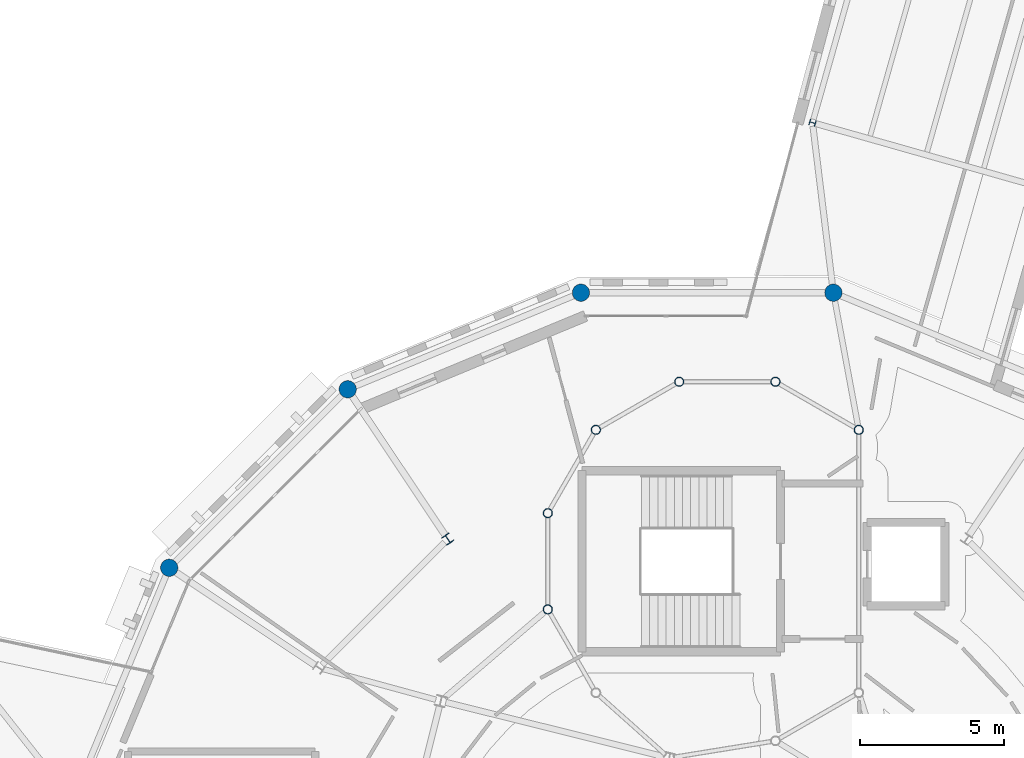
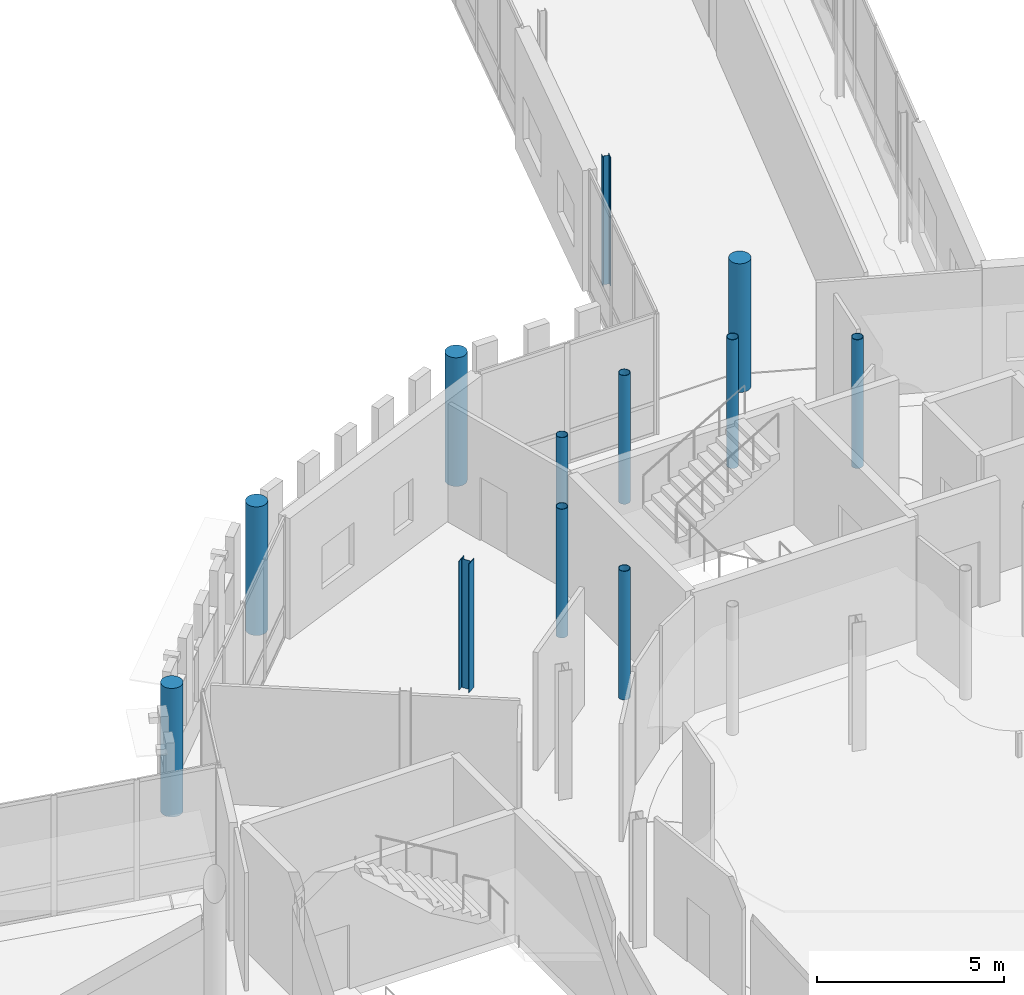
# One storey, part 20 of 125: 12 columns.
"""IFC4 building model written with IfcOpenShell, lengths in metres."""

from ifc_helpers import new_model, si_unit, direction, frame, origin, origin_2d, place, context, subcontext, project, spatial, circle, hollow_circle, i_section, extrude, material, material_profile, profile_set, type_object, element, save


model = new_model("IFC4")

# Units and contexts
model_context = context("Model", 3, precision=1e-05, world=origin(), true_north=direction((0.0, 1.0)))
body_context = subcontext(model_context, "Body", "Model", "MODEL_VIEW")
ifc_project = project(units=[si_unit("LENGTHUNIT", "METRE"), si_unit("AREAUNIT", "SQUARE_METRE"), si_unit("VOLUMEUNIT", "CUBIC_METRE"), si_unit("PLANEANGLEUNIT", "RADIAN"), si_unit("MASSUNIT", "GRAM", prefix="KILO")], contexts=[model_context])

# Site, building, storey
site_placement = place(None, origin())
site = spatial("IfcSite", under=ifc_project, at=site_placement, CompositionType="ELEMENT")
building_placement = place(site_placement, origin())
building = spatial("IfcBuilding", under=site, at=building_placement, Name="Wrenclough Park School", CompositionType="ELEMENT")
storey_placement = place(building_placement, frame((0.0, 0.0, 4.199951171875)))
storey = spatial("IfcBuildingStorey", under=building, at=storey_placement, Name="L01", CompositionType="ELEMENT", Elevation=4.199951171875)

# Columns
ifc_material_1 = material(Name="Structural steel S355", Category="steel")
ifc_material_profile_1 = material_profile(ifc_material_1, hollow_circle(Radius=0.161865234375, WallThickness=0.01611328125, at=origin_2d()), Name="CHS 323.9x16.0")
ifc_profile_set_1 = profile_set([ifc_material_profile_1], Name="Structural steel S355")
column_type_1 = type_object("IfcColumnType", Name="STR-COL-CHS324", PredefinedType="COLUMN", material=ifc_profile_set_1)
for number, where, z_axis, x_axis, name in (
    (1, (160.7607421875, 43.7607421875, 0.0), (0.0, 0.0, 1.0), (-0.707106781187, 0.707106781187, 0.0), "D1-SH L01 column D1SH-02"),
    (2, (157.869384765625, 45.43017578125, 0.0), (0.0, 0.0, 1.0), (-0.965925826289, 0.258819045103, 0.0), "D1-SH L01 column D1SH-03"),
    (3, (154.530517578125, 45.43017578125, 0.0), (0.0, 0.0, 1.0), (-0.965925826289, -0.258819045103, 0.0), "D1-SH L01 column D1SH-04"),
    (4, (151.63916015625, 43.7607421875, 0.0), (0.0, 0.0, 1.0), (-0.707106781187, -0.707106781187, 0.0), "D1-SH L01 column D1SH-05"),
    (5, (149.9697265625, 40.869384765625, 0.0), (0.0, 0.0, 1.0), (-0.258819045103, -0.965925826289, 0.0), "D1-SH L01 column D1SH-06"),
    (6, (149.9697265625, 37.530517578125, 0.0), (0.0, 0.0, 1.0), (0.258819045103, -0.965925826289, 0.0), "D1-SH L01 column D1SH-07"),
):
    element("IfcColumn", number, at=place(storey_placement, frame(where, z_axis=z_axis, x_axis=x_axis)), inside=storey, type_object=column_type_1, Name=name, PredefinedType="COLUMN", context=body_context, shape_type="SweptSolid", body=[
        extrude(hollow_circle(Radius=0.161865234375, WallThickness=0.01611328125, at=origin_2d()), origin(), (0.0, 0.0, 1.0), 4.199951171875),
    ])
ifc_material_2 = material(Name="Concrete C40/50", Category="concrete")
ifc_material_profile_2 = material_profile(ifc_material_2, circle(Radius=0.300048828125, at=origin_2d()), Name="RC COL D600")
ifc_profile_set_2 = profile_set([ifc_material_profile_2], Name="Concrete C40/50")
column_type_2 = type_object("IfcColumnType", Name="STR-COL-RCD600", PredefinedType="COLUMN", material=ifc_profile_set_2)
for number, where, z_axis, x_axis, name in (
    (7, (159.8798828125, 48.5185546875, 0.0), (0.0, 0.0, 1.0), (-0.980785280403, 0.195090322016, 0.0), "D1 L01 column D1-OUT-04"),
    (8, (151.1201171875, 48.5185546875, 0.0), (0.0, 0.0, 1.0), (-0.980785280403, -0.195090322016, 0.0), "D1 L01 column D1-OUT-05"),
    (9, (143.02734375, 45.16650390625, 0.0), (0.0, 0.0, 1.0), (-0.831469612303, -0.55557023302, 0.0), "D1 L01 column D1-OUT-06"),
    (10, (136.83349609375, 38.97265625, 0.0), (0.0, 0.0, 1.0), (-0.55557023302, -0.831469612303, 0.0), "D1 L01 column D1-OUT-07"),
):
    element("IfcColumn", number, at=place(storey_placement, frame(where, z_axis=z_axis, x_axis=x_axis)), inside=storey, type_object=column_type_2, Name=name, PredefinedType="COLUMN", context=body_context, shape_type="SweptSolid", body=[
        extrude(circle(Radius=0.300048828125, at=origin_2d()), origin(), (0.0, 0.0, 1.0), 4.199951171875),
    ])
ifc_material_profile_3 = material_profile(ifc_material_1, i_section(OverallWidth=0.205810546875, OverallDepth=0.209716796875, WebThickness=0.009521484375, FlangeThickness=0.01416015625, FilletRadius=0.01025390625, at=origin_2d()), Name="UKC 203x203x60")
ifc_profile_set_3 = profile_set([ifc_material_profile_3], Name="Structural steel S355")
column_type_3 = type_object("IfcColumnType", Name="STR-COL-UKC203B", PredefinedType="COLUMN", material=ifc_profile_set_3)
column_1_placement = place(storey_placement, frame((159.155517578125, 54.418701171875, 0.0), z_axis=(0.0, 0.0, 1.0), x_axis=(0.272784025857, 0.962075296033, 0.0)))
element("IfcColumn", 11, at=column_1_placement, inside=storey, type_object=column_type_3, Name="W14 L01 column W14-C1-L04", PredefinedType="COLUMN", context=body_context, shape_type="SweptSolid", body=[
    extrude(i_section(OverallWidth=0.205810546875, OverallDepth=0.209716796875, WebThickness=0.009521484375, FlangeThickness=0.01416015625, FilletRadius=0.01025390625, at=origin_2d()), origin(), (0.0, 0.0, 1.0), 4.199951171875),
])
ifc_material_profile_4 = material_profile(ifc_material_1, i_section(OverallWidth=0.307373046875, OverallDepth=0.314453125, WebThickness=0.011962890625, FlangeThickness=0.018798828125, FilletRadius=0.01513671875, at=origin_2d()), Name="UKC 305x305x118")
ifc_profile_set_4 = profile_set([ifc_material_profile_4], Name="Structural steel S355")
column_type_4 = type_object("IfcColumnType", Name="STR-COL-UKC305A", PredefinedType="COLUMN", material=ifc_profile_set_4)
column_2_placement = place(storey_placement, frame((146.499755859375, 39.9697265625, 0.0), z_axis=(0.0, 0.0, 1.0), x_axis=(-0.831469612303, -0.55557023302, 0.0)))
element("IfcColumn", 12, at=column_2_placement, inside=storey, type_object=column_type_4, Name="D1 L01 column D1-MID-06", PredefinedType="COLUMN", context=body_context, shape_type="SweptSolid", body=[
    extrude(i_section(OverallWidth=0.307373046875, OverallDepth=0.314453125, WebThickness=0.011962890625, FlangeThickness=0.018798828125, FilletRadius=0.01513671875, at=origin_2d()), origin(), (0.0, 0.0, 1.0), 4.199951171875),
])

save(model, "model.ifc")
